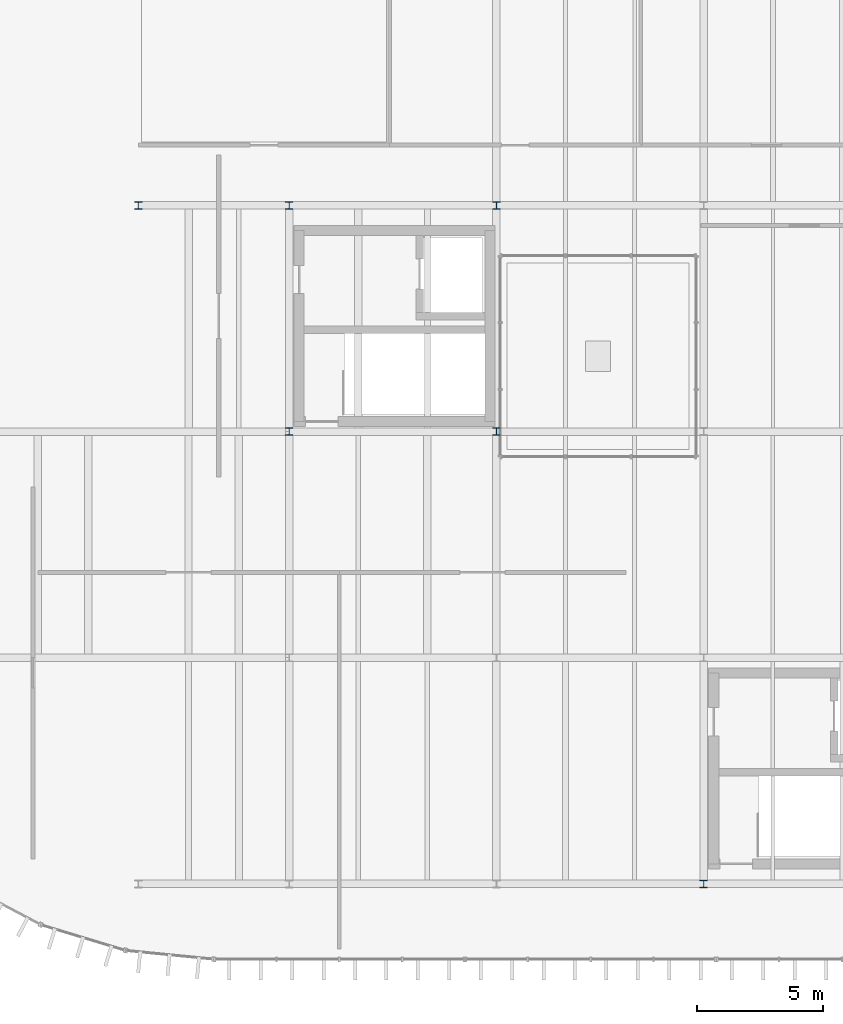
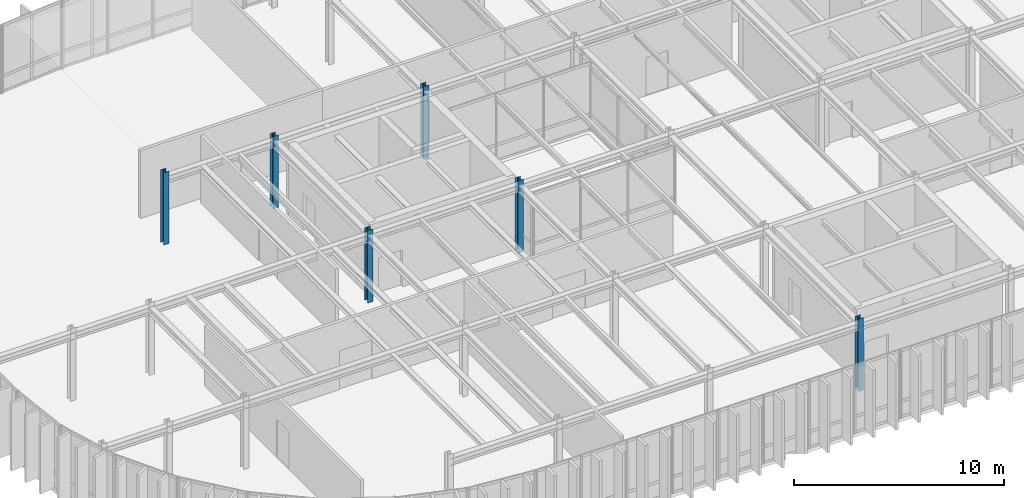
# One storey, part 2 of 21: 6 columns.
"""IFC4 building model written with IfcOpenShell, lengths in metres."""

from ifc_helpers import new_model, si_unit, direction, frame, origin, origin_2d, place, context, subcontext, project, spatial, i_section, extrude, material, material_profile, profile_set, type_object, element, save


model = new_model("IFC4")

# Units and contexts
model_context = context("Model", 3, precision=1e-05, world=origin(), true_north=direction((0.0, 1.0)))
body_context = subcontext(model_context, "Body", "Model", "MODEL_VIEW")
ifc_project = project(units=[si_unit("LENGTHUNIT", "METRE"), si_unit("AREAUNIT", "SQUARE_METRE"), si_unit("VOLUMEUNIT", "CUBIC_METRE"), si_unit("PLANEANGLEUNIT", "RADIAN"), si_unit("MASSUNIT", "GRAM", prefix="KILO")], contexts=[model_context])

# Site, building, storey
site_placement = place(None, origin())
site = spatial("IfcSite", under=ifc_project, at=site_placement, CompositionType="ELEMENT")
building_placement = place(site_placement, origin())
building = spatial("IfcBuilding", under=site, at=building_placement, Name="Montealbar Specialist Clinic", CompositionType="ELEMENT")
storey_placement = place(building_placement, frame((0.0, 0.0, 26.39990234375)))
storey = spatial("IfcBuildingStorey", under=building, at=storey_placement, Name="L06", CompositionType="ELEMENT", Elevation=26.39990234375)

# Columns
ifc_material = material(Name="Steel S355", Category="steel")
ifc_material_profile_1 = material_profile(ifc_material, i_section(OverallWidth=0.300048828125, OverallDepth=0.2900390625, WebThickness=0.008544921875, FlangeThickness=0.013916015625, FilletRadius=0.027099609375, at=origin_2d()), Name="HEA 300", Category="steel")
ifc_profile_set_1 = profile_set([ifc_material_profile_1], Name="Steel S355")
column_type_1 = type_object("IfcColumnType", Name="COL-S-L06-STD", PredefinedType="COLUMN", material=ifc_profile_set_1)
for number, where, z_axis, x_axis, name in (
    (1, (60.0, 36.0, 0.0), (0.0, 0.0, 1.0), (1.0, 0.0, 0.0), "Column 8/E L06"),
    (2, (66.0, 27.0, 0.0), (0.0, 0.0, 1.0), (1.0, 0.0, 0.0), "Column 9/D L06"),
    (3, (66.0, 36.0, 0.0), (0.0, 0.0, 1.0), (1.0, 0.0, 0.0), "Column 9/E L06"),
    (4, (74.25, 36.0, 0.0), (0.0, 0.0, 1.0), (1.0, 0.0, 0.0), "Column 10/E L06"),
    (5, (82.5, 9.0, 0.0), (0.0, 0.0, 1.0), (1.0, 0.0, 0.0), "Column 11/B L06"),
):
    element("IfcColumn", number, at=place(storey_placement, frame(where, z_axis=z_axis, x_axis=x_axis)), inside=storey, type_object=column_type_1, Name=name, PredefinedType="COLUMN", context=body_context, shape_type="SweptSolid", body=[
        extrude(i_section(OverallWidth=0.300048828125, OverallDepth=0.2900390625, WebThickness=0.008544921875, FlangeThickness=0.013916015625, FilletRadius=0.027099609375, at=origin_2d()), origin(), (0.0, 0.0, 1.0), 4.2001953125),
    ])
ifc_material_profile_2 = material_profile(ifc_material, i_section(OverallWidth=0.300048828125, OverallDepth=0.2900390625, WebThickness=0.008544921875, FlangeThickness=0.013916015625, FilletRadius=0.027099609375, at=origin_2d()), Name="HEA 300", Category="steel")
ifc_profile_set_2 = profile_set([ifc_material_profile_2], Name="Steel S355")
column_type_2 = type_object("IfcColumnType", Name="COL-S-L06-STD-EXT", PredefinedType="COLUMN", material=ifc_profile_set_2)
column_placement = place(storey_placement, frame((74.25, 27.0, 0.0), z_axis=(0.0, 0.0, 1.0), x_axis=(1.0, 0.0, 0.0)))
element("IfcColumn", 6, at=column_placement, inside=storey, type_object=column_type_2, Name="Column 10/D L06", PredefinedType="COLUMN", context=body_context, shape_type="SweptSolid", body=[
    extrude(i_section(OverallWidth=0.300048828125, OverallDepth=0.2900390625, WebThickness=0.008544921875, FlangeThickness=0.013916015625, FilletRadius=0.027099609375, at=origin_2d()), origin(), (0.0, 0.0, 1.0), 4.2001953125),
])

save(model, "model.ifc")
